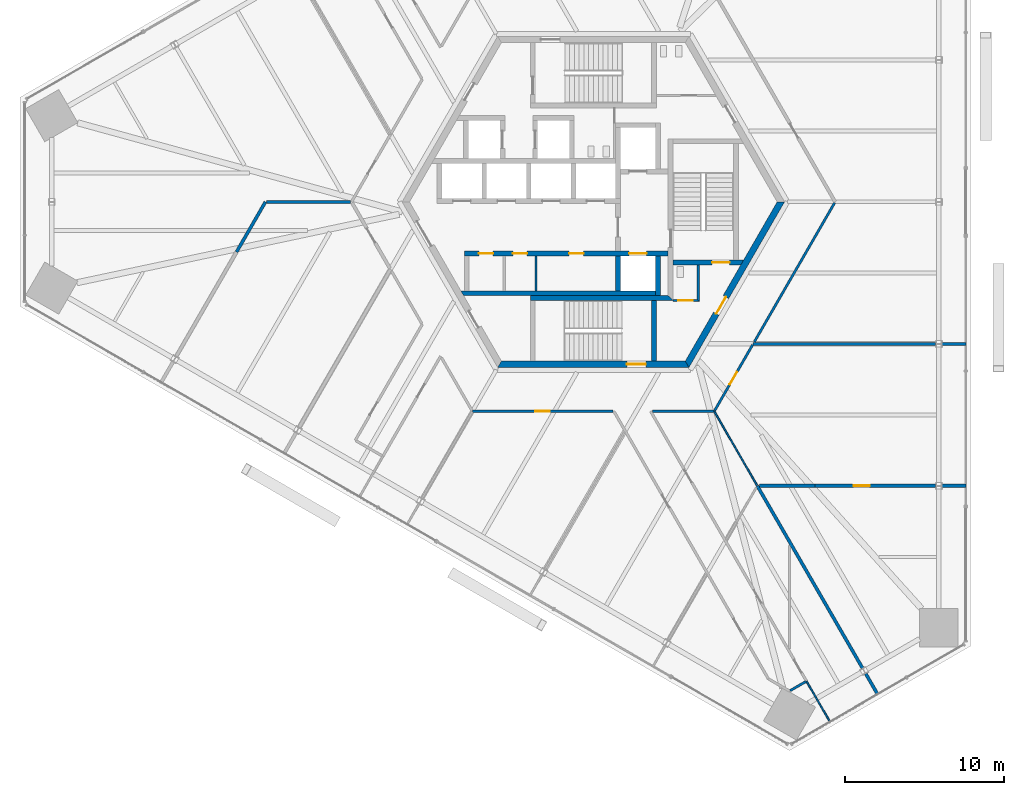
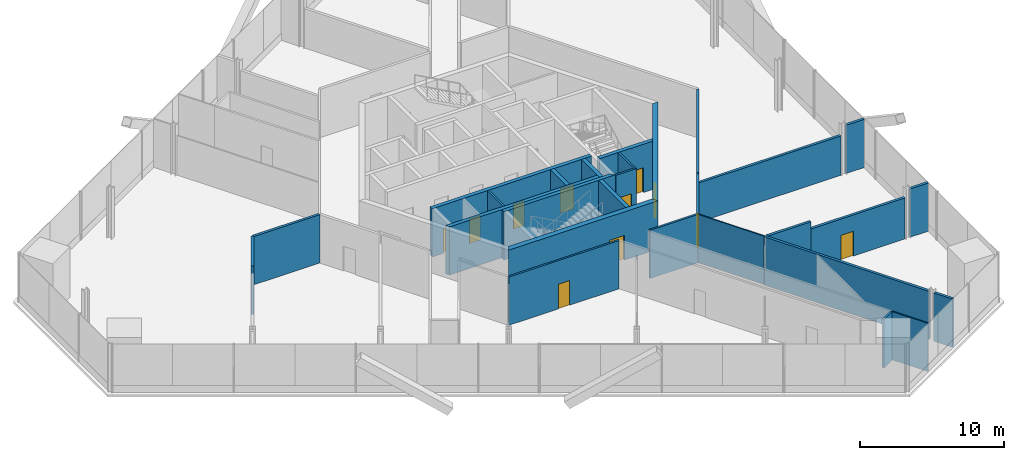
# One storey, part 11 of 16: 28 walls, 11 doors, 11 openings.
"""IFC4 building model written with IfcOpenShell, lengths in metres."""

from ifc_helpers import new_model, si_unit, direction, frame, frame_2d, origin, place, context, subcontext, project, spatial, polyline, rectangle, outline, extrude, source, transform, mapped, material, layer, layer_set, type_object, element, fill, save


model = new_model("IFC4")

# Units and contexts
model_context = context("Model", 3, precision=1e-05, world=origin(), true_north=direction((0.0, 1.0)))
body_context = subcontext(model_context, "Body", "Model", "MODEL_VIEW")
ifc_project = project(units=[si_unit("LENGTHUNIT", "METRE"), si_unit("AREAUNIT", "SQUARE_METRE"), si_unit("VOLUMEUNIT", "CUBIC_METRE"), si_unit("PLANEANGLEUNIT", "RADIAN"), si_unit("MASSUNIT", "GRAM", prefix="KILO")], contexts=[model_context])

# Site, building, storey
site_placement = place(None, origin())
site = spatial("IfcSite", under=ifc_project, at=site_placement, CompositionType="ELEMENT")
building_placement = place(site_placement, origin())
building = spatial("IfcBuilding", under=site, at=building_placement, Name="Triune Harvest Tower", CompositionType="ELEMENT")
storey_placement = place(building_placement, frame((0.0, 0.0, 37.5)))
storey = spatial("IfcBuildingStorey", under=building, at=storey_placement, Name="L08", CompositionType="ELEMENT", Elevation=37.5)

# Wall, opening, door
ifc_material_1 = material(Name="Gypsum board on steel studs", Category="steel")
ifc_layer_1 = layer(ifc_material_1, 0.14990234375)
ifc_layer_set_1 = layer_set([ifc_layer_1], Name="Gypsum board on steel studs")
wall_type_1 = type_object("IfcWallType", Name="Fire Partition 150 mm", PredefinedType="PARTITIONING", material=ifc_layer_set_1)
wall_1_placement = place(storey_placement, frame((-7.587646484375, -13.142333984375, 0.0), z_axis=(0.0, 0.0, 1.0), x_axis=(1.0, 0.0, 0.0)))
wall_1 = element("IfcWall", 1, at=wall_1_placement, inside=storey, type_object=wall_type_1, Name="Partition L08 028", PredefinedType="PARTITIONING", context=body_context, shape_type="SweptSolid", body=[
    extrude(rectangle(XDim=8.82666015625, YDim=0.14990234375, at=frame_2d((4.413330078125, 0.0))), origin(), (0.0, 0.0, 1.0), 4.10009765625),
])
opening_1_placement = place(wall_1_placement, frame((3.949951171875, 0.0, 0.0)))
opening_1 = element("IfcOpeningElement", 2, at=opening_1_placement, cuts=wall_1, Name="Opening L08-016", PredefinedType="OPENING", context=body_context, shape_type="SweptSolid", body=[
    extrude(rectangle(XDim=0.89990234375, YDim=2.10009765625, at=frame_2d((0.449951171875, 1.050048828125))), frame((0.0, 0.0849609375, 0.0), z_axis=(0.0, -1.0, 0.0), x_axis=(1.0, 0.0, 0.0)), (0.0, 0.0, 1.0), 0.169921875),
])
ifc_material_2 = material(Name="Timber and steel door set", Category="steel")
door_type_1 = type_object("IfcDoorType", Name="Single leaf door FD30 right hand 900 x 2100", OperationType="SINGLE_SWING_RIGHT", PredefinedType="DOOR", material=ifc_material_2)
door_1_placement = place(opening_1_placement, origin())
door_1 = element("IfcDoor", 3, at=door_1_placement, inside=storey, type_object=door_type_1, Name="Door L08-016 Packing Room 08.16", OperationType="SINGLE_SWING_RIGHT", OverallHeight=2.10009765625, OverallWidth=0.89990234375, PredefinedType="DOOR", context=body_context, shape_type="SweptSolid", body=[
    extrude(rectangle(XDim=0.89990234375, YDim=2.10009765625, at=frame_2d((0.449951171875, 1.050048828125))), frame((0.0, 0.02490234375, 0.0), z_axis=(0.0, -1.0, 0.0), x_axis=(1.0, 0.0, 0.0)), (0.0, 0.0, 1.0), 0.050048828125),
])
fill(opening_1, door_1)

# Wall
wall_2_placement = place(storey_placement, frame((3.708251953125, -13.142333984375, 0.0), z_axis=(0.0, 0.0, 1.0), x_axis=(1.0, 0.0, 0.0)))
element("IfcWall", 4, at=wall_2_placement, inside=storey, type_object=wall_type_1, Name="Partition L08 029", PredefinedType="PARTITIONING", context=body_context, shape_type="SweptSolid", body=[
    extrude(rectangle(XDim=3.859375, YDim=0.14990234375, at=frame_2d((1.9296875, 0.0))), origin(), (0.0, 0.0, 1.0), 4.10009765625),
])

# Wall, opening, door
wall_3_placement = place(storey_placement, frame((7.602783203125, -13.1162109375, 0.0), z_axis=(0.0, 0.0, 1.0), x_axis=(0.500011970786, 0.866018492338, 0.0)))
wall_3 = element("IfcWall", 5, at=wall_3_placement, inside=storey, type_object=wall_type_1, Name="Partition L08 041", PredefinedType="PARTITIONING", context=body_context, shape_type="SweptSolid", body=[
    extrude(rectangle(XDim=4.79345703125, YDim=0.14990234375, at=frame_2d((2.396728515625, 0.0))), origin(), (0.0, 0.0, 1.0), 4.10009765625),
])
opening_2_placement = place(wall_3_placement, frame((1.919921875, 0.0, 0.0)))
opening_2 = element("IfcOpeningElement", 6, at=opening_2_placement, cuts=wall_3, Name="Opening L08-002", PredefinedType="OPENING", context=body_context, shape_type="SweptSolid", body=[
    extrude(rectangle(XDim=0.89990234375, YDim=2.10009765625, at=frame_2d((0.449951171875, 1.050048828125))), frame((0.0, 0.0849609375, 0.0), z_axis=(0.0, -1.0, 0.0), x_axis=(1.0, 0.0, 0.0)), (0.0, 0.0, 1.0), 0.169921875),
])
door_2_placement = place(opening_2_placement, origin())
door_2 = element("IfcDoor", 7, at=door_2_placement, inside=storey, type_object=door_type_1, Name="Door L08-002 Packing Room 08.02", OperationType="SINGLE_SWING_RIGHT", OverallHeight=2.10009765625, OverallWidth=0.89990234375, PredefinedType="DOOR", context=body_context, shape_type="SweptSolid", body=[
    extrude(rectangle(XDim=0.89990234375, YDim=2.10009765625, at=frame_2d((0.449951171875, 1.050048828125))), frame((0.0, 0.02490234375, 0.0), z_axis=(0.0, -1.0, 0.0), x_axis=(1.0, 0.0, 0.0)), (0.0, 0.0, 1.0), 0.050048828125),
])
fill(opening_2, door_2)

# Walls
wall_4_placement = place(storey_placement, frame((10.099609375, -8.791748046875, 0.0), z_axis=(0.0, 0.0, 1.0), x_axis=(0.499985875816, 0.866033558232, 0.0)))
element("IfcWall", 8, at=wall_4_placement, inside=storey, type_object=wall_type_1, Name="Partition L08 042", PredefinedType="PARTITIONING", context=body_context, shape_type="SweptSolid", body=[
    extrude(rectangle(XDim=10.081787109375, YDim=0.14990234375, at=frame_2d((5.041015625, 0.0))), origin(), (0.0, 0.0, 1.0), 4.10009765625),
])
ifc_material_3 = material(Name="Gypsum board on steel studs", Category="steel")
ifc_layer_2 = layer(ifc_material_3, 0.199951171875)
ifc_layer_set_2 = layer_set([ifc_layer_2], Name="Gypsum board on steel studs")
wall_type_2 = type_object("IfcWallType", Name="Fire Wall 200 mm", PredefinedType="PARTITIONING", material=ifc_layer_set_2)
wall_5_placement = place(storey_placement, frame((10.288330078125, -17.820068359375, 0.0), z_axis=(0.0, 0.0, 1.0), x_axis=(0.500008633047, -0.866020419435, 0.0)))
element("IfcWall", 9, at=wall_5_placement, inside=storey, type_object=wall_type_2, Name="Partition L08 015", PredefinedType="PARTITIONING", context=body_context, shape_type="SweptSolid", body=[
    extrude(rectangle(XDim=13.218505859375, YDim=0.199951171875, at=frame_2d((6.609375, 0.0))), origin(), (0.0, 0.0, 1.0), 4.10009765625),
])
wall_6_placement = place(storey_placement, frame((10.4384765625, -17.820068359375, 0.0), z_axis=(0.0, 0.0, 1.0), x_axis=(1.0, 0.0, 0.0)))
element("IfcWall", 10, at=wall_6_placement, inside=storey, type_object=wall_type_2, Name="Partition L08 026", PredefinedType="PARTITIONING", context=body_context, shape_type="SweptSolid", body=[
    extrude(rectangle(XDim=3.4794921875, YDim=0.199951171875, at=frame_2d((1.73974609375, 0.0))), origin(), (0.0, 0.0, 1.0), 4.10009765625),
])
wall_7_placement = place(storey_placement, frame((-20.506591796875, 0.0, 0.0), z_axis=(0.0, 0.0, 1.0), x_axis=(1.0, 0.0, 0.0)))
element("IfcWall", 11, at=wall_7_placement, inside=storey, type_object=wall_type_2, Name="Partition L08 032", PredefinedType="PARTITIONING", context=body_context, shape_type="SweptSolid", body=[
    extrude(rectangle(XDim=5.28125, YDim=0.199951171875, at=frame_2d((2.640625, 0.0))), origin(), (0.0, 0.0, 1.0), 4.10009765625),
])
wall_8_placement = place(storey_placement, frame((-22.3916015625, -3.143310546875, 0.0), z_axis=(0.0, 0.0, 1.0), x_axis=(0.500031038943, 0.8660074827, 0.0)))
element("IfcWall", 12, at=wall_8_placement, inside=storey, type_object=wall_type_2, Name="Partition L08 062a", PredefinedType="PARTITIONING", context=body_context, shape_type="SweptSolid", body=[
    extrude(rectangle(XDim=3.629638671875, YDim=0.199951171875, at=frame_2d((1.81494140625, 0.0))), origin(), (0.0, 0.0, 1.0), 4.10009765625),
])
ifc_material_4 = material(Name="Gypsum board on steel studs", Category="steel")
ifc_layer_3 = layer(ifc_material_4, 0.10009765625)
ifc_layer_set_3 = layer_set([ifc_layer_3], Name="Gypsum board on steel studs")
wall_type_3 = type_object("IfcWallType", Name="Partition 100 mm", PredefinedType="PARTITIONING", material=ifc_layer_set_3)
wall_9_placement = place(storey_placement, frame((7.587646484375, -13.142333984375, 0.0), z_axis=(0.0, 0.0, 1.0), x_axis=(0.499998380488, -0.866026338808, 0.0)))
element("IfcWall", 13, at=wall_9_placement, inside=storey, type_object=wall_type_3, Name="Partition L08 014", PredefinedType="PARTITIONING", context=body_context, shape_type="SweptSolid", body=[
    extrude(rectangle(XDim=5.361328125, YDim=0.10009765625, at=frame_2d((2.6806640625, 0.0))), origin(), (0.0, 0.0, 1.0), 4.10009765625),
])

# Wall, opening, door
ifc_material_5 = material(Name="Concrete 70 MPa", Category="concrete")
ifc_layer_4 = layer(ifc_material_5, 0.39990234375)
ifc_layer_set_4 = layer_set([ifc_layer_4], Name="Concrete 70 MPa")
wall_type_4 = type_object("IfcWallType", Name="Core wall 400", PredefinedType="SHEAR", material=ifc_layer_set_4)
shared_shape_1 = source(origin(), body_context, "Body", "SweptSolid", [
    extrude(outline(polyline([(-0.115478515625, -0.199951171875), (11.884521484375, -0.199951171875), (11.653564453125, 0.199951171875), (0.115478515625, 0.199951171875), (-0.115478515625, -0.199951171875)])), origin(), (0.0, 0.0, 1.0), 4.10009765625),
])
wall_10_placement = place(storey_placement, frame((-5.884521484375, -10.1923828125, 0.0), z_axis=(0.0, 0.0, 1.0), x_axis=(1.0, 0.0, 0.0)))
wall_10 = element("IfcWall", 14, at=wall_10_placement, inside=storey, type_object=wall_type_4, Name="Hexagon 4 wall", PredefinedType="SHEAR", context=body_context, shape_type="MappedRepresentation", body=[
    mapped(shared_shape_1, transform((0.0, 0.0, 0.0), scale=1.0)),
])
opening_3_placement = place(wall_10_placement, frame((7.984619140625, 0.0, 0.0)))
opening_3 = element("IfcOpeningElement", 15, at=opening_3_placement, cuts=wall_10, Name="Opening CD-S2P", PredefinedType="OPENING", context=body_context, shape_type="SweptSolid", body=[
    extrude(rectangle(XDim=1.199951171875, YDim=2.10009765625, at=frame_2d((0.60009765625, 1.050048828125))), frame((0.0, 0.2099609375, 0.0), z_axis=(0.0, -1.0, 0.0), x_axis=(1.0, 0.0, 0.0)), (0.0, 0.0, 1.0), 0.419921875),
])
ifc_material_6 = material(Name="Steel S235", Category="steel")
door_type_2 = type_object("IfcDoorType", Name="Stair door 1200 FD120", OperationType="SINGLE_SWING_LEFT", PredefinedType="DOOR", material=ifc_material_6)
door_3_placement = place(opening_3_placement, frame((1.199951171875, 0.0, 0.0), z_axis=(0.0, 0.0, 1.0), x_axis=(-1.0, 0.0, 0.0)))
door_3 = element("IfcDoor", 16, at=door_3_placement, inside=storey, type_object=door_type_2, Name="Door CD-S2P", OperationType="SINGLE_SWING_RIGHT", OverallHeight=2.10009765625, OverallWidth=1.199951171875, PredefinedType="DOOR", context=body_context, shape_type="SweptSolid", body=[
    extrude(rectangle(XDim=1.199951171875, YDim=2.10009765625, at=frame_2d((0.60009765625, 1.050048828125))), frame((0.0, 0.02490234375, 0.0), z_axis=(0.0, -1.0, 0.0), x_axis=(1.0, 0.0, 0.0)), (0.0, 0.0, 1.0), 0.050048828125),
])
fill(opening_3, door_3)

wall_11_placement = place(storey_placement, frame((5.884521484375, -10.1923828125, 0.0), z_axis=(0.0, 0.0, 1.0), x_axis=(0.499996592174, 0.866027371285, 0.0)))
wall_11 = element("IfcWall", 17, at=wall_11_placement, inside=storey, type_object=wall_type_4, Name="Hexagon 5 wall", PredefinedType="SHEAR", context=body_context, shape_type="MappedRepresentation", body=[
    mapped(shared_shape_1, transform((0.0, 0.0, 0.0), scale=1.0)),
])
opening_4_placement = place(wall_11_placement, frame((3.66455078125, 0.0, 0.0)))
opening_4 = element("IfcOpeningElement", 18, at=opening_4_placement, cuts=wall_11, Name="Opening CD-DP", PredefinedType="OPENING", context=body_context, shape_type="SweptSolid", body=[
    extrude(rectangle(XDim=1.199951171875, YDim=2.10009765625, at=frame_2d((0.60009765625, 1.050048828125))), frame((0.0, 0.2099609375, 0.0), z_axis=(0.0, -1.0, 0.0), x_axis=(1.0, 0.0, 0.0)), (0.0, 0.0, 1.0), 0.419921875),
])
door_4_placement = place(opening_4_placement, frame((1.199951171875, 0.0, 0.0), z_axis=(0.0, 0.0, 1.0), x_axis=(-1.0, 0.0, 0.0)))
door_4 = element("IfcDoor", 19, at=door_4_placement, inside=storey, type_object=door_type_2, Name="Door CD-DP", OperationType="SINGLE_SWING_RIGHT", OverallHeight=2.10009765625, OverallWidth=1.199951171875, PredefinedType="DOOR", context=body_context, shape_type="SweptSolid", body=[
    extrude(rectangle(XDim=1.199951171875, YDim=2.10009765625, at=frame_2d((0.60009765625, 1.050048828125))), frame((0.0, 0.02490234375, 0.0), z_axis=(0.0, -1.0, 0.0), x_axis=(1.0, 0.0, 0.0)), (0.0, 0.0, 1.0), 0.050048828125),
])
fill(opening_4, door_4)

# Wall
ifc_material_7 = material(Name="Concrete 70 MPa", Category="concrete")
ifc_layer_5 = layer(ifc_material_7, 0.300048828125)
ifc_layer_set_5 = layer_set([ifc_layer_5], Name="Concrete 70 MPa")
wall_type_5 = type_object("IfcWallType", Name="Core wall 300", PredefinedType="SHEAR", material=ifc_layer_set_5)
shared_shape_2 = source(origin(), body_context, "Body", "SweptSolid", [
    extrude(rectangle(XDim=2.5, YDim=0.300048828125, at=frame_2d((1.25, 0.0))), origin(), (0.0, 0.0, 1.0), 4.10009765625),
])
wall_12_placement = place(storey_placement, frame((4.050048828125, -5.889892578125, 0.0), z_axis=(0.0, 0.0, 1.0), x_axis=(0.0, 1.0, 0.0)))
element("IfcWall", 20, at=wall_12_placement, inside=storey, type_object=wall_type_5, Name="Ff2 east wall", PredefinedType="SHEAR", context=body_context, shape_type="MappedRepresentation", body=[
    mapped(shared_shape_2, transform((0.0, 0.0, 0.0), scale=1.0)),
])

# Wall, openings, doors
shared_shape_3 = source(origin(), body_context, "Body", "SweptSolid", [
    extrude(rectangle(XDim=12.800048828125, YDim=0.300048828125, at=frame_2d((6.39990234375, 0.0))), origin(), (0.0, 0.0, 1.0), 4.10009765625),
])
wall_13_placement = place(storey_placement, frame((-8.10009765625, -3.239990234375, 0.0), z_axis=(0.0, 0.0, 1.0), x_axis=(1.0, 0.0, 0.0)))
wall_13 = element("IfcWall", 21, at=wall_13_placement, inside=storey, type_object=wall_type_5, Name="South front wall", PredefinedType="SHEAR", context=body_context, shape_type="MappedRepresentation", body=[
    mapped(shared_shape_3, transform((0.0, 0.0, 0.0), scale=1.0)),
])
opening_5_placement = place(wall_13_placement, frame((0.91259765625, 0.0, 0.0)))
opening_5 = element("IfcOpeningElement", 22, at=opening_5_placement, cuts=wall_13, Name="Opening CD-RS1", PredefinedType="OPENING", context=body_context, shape_type="SweptSolid", body=[
    extrude(rectangle(XDim=0.89990234375, YDim=2.10009765625, at=frame_2d((0.449951171875, 1.050048828125))), frame((0.0, 0.16015625, 0.0), z_axis=(0.0, -1.0, 0.0), x_axis=(1.0, 0.0, 0.0)), (0.0, 0.0, 1.0), 0.320068359375),
])
opening_6_placement = place(wall_13_placement, frame((3.050048828125, 0.0, 0.0)))
opening_6 = element("IfcOpeningElement", 23, at=opening_6_placement, cuts=wall_13, Name="Opening CD-RS2", PredefinedType="OPENING", context=body_context, shape_type="SweptSolid", body=[
    extrude(rectangle(XDim=0.89990234375, YDim=2.10009765625, at=frame_2d((0.449951171875, 1.050048828125))), frame((0.0, 0.16015625, 0.0), z_axis=(0.0, -1.0, 0.0), x_axis=(1.0, 0.0, 0.0)), (0.0, 0.0, 1.0), 0.320068359375),
])
opening_7_placement = place(wall_13_placement, frame((6.58740234375, 0.0, 0.0)))
opening_7 = element("IfcOpeningElement", 24, at=opening_7_placement, cuts=wall_13, Name="Opening CD-RS3", PredefinedType="OPENING", context=body_context, shape_type="SweptSolid", body=[
    extrude(rectangle(XDim=0.89990234375, YDim=2.10009765625, at=frame_2d((0.449951171875, 1.050048828125))), frame((0.0, 0.16015625, 0.0), z_axis=(0.0, -1.0, 0.0), x_axis=(1.0, 0.0, 0.0)), (0.0, 0.0, 1.0), 0.320068359375),
])
opening_8_placement = place(wall_13_placement, frame((10.35009765625, 0.0, 0.0)))
opening_8 = element("IfcOpeningElement", 25, at=opening_8_placement, cuts=wall_13, Name="Opening LD-FF2-08", PredefinedType="OPENING", context=body_context, shape_type="SweptSolid", body=[
    extrude(rectangle(XDim=1.10009765625, YDim=2.10009765625, at=frame_2d((0.550048828125, 1.050048828125))), frame((0.0, 0.16015625, 0.0), z_axis=(0.0, -1.0, 0.0), x_axis=(1.0, 0.0, 0.0)), (0.0, 0.0, 1.0), 0.320068359375),
])
ifc_material_8 = material(Name="Stainless steel AISI 304", Category="steel")
door_type_3 = type_object("IfcDoorType", Name="Landing door 1100 x 2100", OperationType="DOUBLE_DOOR_SLIDING", PredefinedType="DOOR", material=ifc_material_8)
door_5_placement = place(opening_8_placement, origin())
door_5 = element("IfcDoor", 26, at=door_5_placement, inside=storey, type_object=door_type_3, Name="Door LD-FF2-08", OperationType="DOUBLE_DOOR_SLIDING", OverallHeight=2.10009765625, OverallWidth=1.10009765625, PredefinedType="DOOR", context=body_context, shape_type="SweptSolid", body=[
    extrude(rectangle(XDim=1.10009765625, YDim=2.10009765625, at=frame_2d((0.550048828125, 1.050048828125))), frame((0.0, 0.02490234375, 0.0), z_axis=(0.0, -1.0, 0.0), x_axis=(1.0, 0.0, 0.0)), (0.0, 0.0, 1.0), 0.050048828125),
])
fill(opening_8, door_5)
ifc_material_9 = material(Name="Steel S235", Category="steel")
door_type_4 = type_object("IfcDoorType", Name="Riser door 900 FD120", OperationType="SINGLE_SWING_LEFT", PredefinedType="DOOR", material=ifc_material_9)
door_6_placement = place(opening_5_placement, origin())
door_6 = element("IfcDoor", 27, at=door_6_placement, inside=storey, type_object=door_type_4, Name="Door CD-RS1", OperationType="SINGLE_SWING_LEFT", OverallHeight=2.10009765625, OverallWidth=0.89990234375, PredefinedType="DOOR", context=body_context, shape_type="SweptSolid", body=[
    extrude(rectangle(XDim=0.89990234375, YDim=2.10009765625, at=frame_2d((0.449951171875, 1.050048828125))), frame((0.0, 0.02490234375, 0.0), z_axis=(0.0, -1.0, 0.0), x_axis=(1.0, 0.0, 0.0)), (0.0, 0.0, 1.0), 0.050048828125),
])
fill(opening_5, door_6)
door_7_placement = place(opening_6_placement, origin())
door_7 = element("IfcDoor", 28, at=door_7_placement, inside=storey, type_object=door_type_4, Name="Door CD-RS2", OperationType="SINGLE_SWING_LEFT", OverallHeight=2.10009765625, OverallWidth=0.89990234375, PredefinedType="DOOR", context=body_context, shape_type="SweptSolid", body=[
    extrude(rectangle(XDim=0.89990234375, YDim=2.10009765625, at=frame_2d((0.449951171875, 1.050048828125))), frame((0.0, 0.02490234375, 0.0), z_axis=(0.0, -1.0, 0.0), x_axis=(1.0, 0.0, 0.0)), (0.0, 0.0, 1.0), 0.050048828125),
])
fill(opening_6, door_7)
door_8_placement = place(opening_7_placement, origin())
door_8 = element("IfcDoor", 29, at=door_8_placement, inside=storey, type_object=door_type_4, Name="Door CD-RS3", OperationType="SINGLE_SWING_LEFT", OverallHeight=2.10009765625, OverallWidth=0.89990234375, PredefinedType="DOOR", context=body_context, shape_type="SweptSolid", body=[
    extrude(rectangle(XDim=0.89990234375, YDim=2.10009765625, at=frame_2d((0.449951171875, 1.050048828125))), frame((0.0, 0.02490234375, 0.0), z_axis=(0.0, -1.0, 0.0), x_axis=(1.0, 0.0, 0.0)), (0.0, 0.0, 1.0), 0.050048828125),
])
fill(opening_7, door_8)

# Walls
shared_shape_4 = source(origin(), body_context, "Body", "SweptSolid", [
    extrude(outline(polyline([(12.0, -0.14990234375), (-0.039794921875, -0.14990234375), (-0.212890625, 0.14990234375), (12.0, 0.14990234375), (12.0, -0.14990234375)])), origin(), (0.0, 0.0, 1.0), 4.10009765625),
])
wall_14_placement = place(storey_placement, frame((-8.10009765625, -5.739990234375, 0.0), z_axis=(0.0, 0.0, 1.0), x_axis=(1.0, 0.0, 0.0)))
element("IfcWall", 30, at=wall_14_placement, inside=storey, type_object=wall_type_5, Name="South back wall", PredefinedType="SHEAR", context=body_context, shape_type="MappedRepresentation", body=[
    mapped(shared_shape_4, transform((0.0, 0.0, 0.0), scale=1.0)),
])
shared_shape_5 = source(origin(), body_context, "Body", "SweptSolid", [
    extrude(rectangle(XDim=2.2001953125, YDim=0.300048828125, at=frame_2d((1.10009765625, 0.0))), origin(), (0.0, 0.0, 1.0), 4.10009765625),
])
wall_15_placement = place(storey_placement, frame((1.550048828125, -5.590087890625, 0.0), z_axis=(0.0, 0.0, 1.0), x_axis=(0.0, 1.0, 0.0)))
element("IfcWall", 31, at=wall_15_placement, inside=storey, type_object=wall_type_5, Name="Ff2 west wall", PredefinedType="SHEAR", context=body_context, shape_type="MappedRepresentation", body=[
    mapped(shared_shape_5, transform((0.0, 0.0, 0.0), scale=1.0)),
])

# Wall, opening, door
shared_shape_6 = source(origin(), body_context, "Body", "SweptSolid", [
    extrude(outline(polyline([(0.0, -0.14990234375), (0.0, 0.14990234375), (4.43310546875, 0.14990234375), (4.260009765625, -0.14990234375), (0.0, -0.14990234375)])), origin(), (0.0, 0.0, 1.0), 4.10009765625),
])
wall_16_placement = place(storey_placement, frame((5.0, -3.800048828125, 0.0), z_axis=(0.0, 0.0, 1.0), x_axis=(1.0, 0.0, 0.0)))
wall_16 = element("IfcWall", 32, at=wall_16_placement, inside=storey, type_object=wall_type_5, Name="Stair e south wall", PredefinedType="SHEAR", context=body_context, shape_type="MappedRepresentation", body=[
    mapped(shared_shape_6, transform((0.0, 0.0, 0.0), scale=1.0)),
])
opening_9_placement = place(wall_16_placement, frame((2.449951171875, 0.0, 0.0)))
opening_9 = element("IfcOpeningElement", 33, at=opening_9_placement, cuts=wall_16, Name="Opening CD-S3D", PredefinedType="OPENING", context=body_context, shape_type="SweptSolid", body=[
    extrude(rectangle(XDim=1.10009765625, YDim=2.10009765625, at=frame_2d((0.550048828125, 1.050048828125))), frame((0.0, 0.16015625, 0.0), z_axis=(0.0, -1.0, 0.0), x_axis=(1.0, 0.0, 0.0)), (0.0, 0.0, 1.0), 0.320068359375),
])
ifc_material_10 = material(Name="Steel S235", Category="steel")
door_type_5 = type_object("IfcDoorType", Name="Stair door 1100 FD120", OperationType="SINGLE_SWING_LEFT", PredefinedType="DOOR", material=ifc_material_10)
door_9_placement = place(opening_9_placement, frame((1.10009765625, 0.0, 0.0), z_axis=(0.0, 0.0, 1.0), x_axis=(-1.0, 0.0, 0.0)))
door_9 = element("IfcDoor", 34, at=door_9_placement, inside=storey, type_object=door_type_5, Name="Door CD-S3D", OperationType="SINGLE_SWING_RIGHT", OverallHeight=2.10009765625, OverallWidth=1.10009765625, PredefinedType="DOOR", context=body_context, shape_type="SweptSolid", body=[
    extrude(rectangle(XDim=1.10009765625, YDim=2.10009765625, at=frame_2d((0.550048828125, 1.050048828125))), frame((0.0, 0.02490234375, 0.0), z_axis=(0.0, -1.0, 0.0), x_axis=(1.0, 0.0, 0.0)), (0.0, 0.0, 1.0), 0.050048828125),
])
fill(opening_9, door_9)

# Walls
shared_shape_7 = source(origin(), body_context, "Body", "SweptSolid", [
    extrude(outline(polyline([(0.0, -0.14990234375), (8.949951171875, -0.14990234375), (8.64990234375, 0.14990234375), (0.0, 0.14990234375), (0.0, -0.14990234375)])), origin(), (0.0, 0.0, 1.0), 4.10009765625),
])
wall_17_placement = place(storey_placement, frame((-3.949951171875, -6.0400390625, 0.0), z_axis=(0.0, 0.0, 1.0), x_axis=(1.0, 0.0, 0.0)))
element("IfcWall", 35, at=wall_17_placement, inside=storey, type_object=wall_type_5, Name="Stair s north wall", PredefinedType="SHEAR", context=body_context, shape_type="MappedRepresentation", body=[
    mapped(shared_shape_7, transform((0.0, 0.0, 0.0), scale=1.0)),
])
shared_shape_8 = source(origin(), body_context, "Body", "SweptSolid", [
    extrude(outline(polyline([(3.800048828125, -0.14990234375), (-0.00439453125, -0.14990234375), (-0.00439453125, 0.14990234375), (3.800048828125, 0.14990234375), (3.800048828125, -0.14990234375)])), origin(), (0.0, 0.0, 1.0), 4.10009765625),
])
wall_18_placement = place(storey_placement, frame((3.800048828125, -9.989990234375, 0.0), z_axis=(0.0, 0.0, 1.0), x_axis=(0.0, 1.0, 0.0)))
element("IfcWall", 36, at=wall_18_placement, inside=storey, type_object=wall_type_5, Name="Stair s east wall", PredefinedType="SHEAR", context=body_context, shape_type="MappedRepresentation", body=[
    mapped(shared_shape_8, transform((0.0, 0.0, 0.0), scale=1.0)),
])
ifc_material_11 = material(Name="Concrete masonry unit", Category="masonry")
ifc_layer_6 = layer(ifc_material_11, 0.14990234375)
ifc_layer_set_6 = layer_set([ifc_layer_6], Name="Concrete masonry unit")
wall_type_6 = type_object("IfcWallType", Name="Block partition 150", PredefinedType="PARTITIONING", material=ifc_layer_set_6)
shared_shape_9 = source(origin(), body_context, "Body", "SweptSolid", [
    extrude(rectangle(XDim=2.2001953125, YDim=0.14990234375, at=frame_2d((1.10009765625, 0.0))), origin(), (0.0, 0.0, 1.0), 4.10009765625),
])
wall_19_placement = place(storey_placement, frame((-3.60009765625, -5.590087890625, 0.0), z_axis=(0.0, 0.0, 1.0), x_axis=(0.0, 1.0, 0.0)))
element("IfcWall", 37, at=wall_19_placement, inside=storey, type_object=wall_type_6, Name="Row s part 2 wall", PredefinedType="PARTITIONING", context=body_context, shape_type="MappedRepresentation", body=[
    mapped(shared_shape_9, transform((0.0, 0.0, 0.0), scale=1.0)),
])

# Wall, opening, door
ifc_material_12 = material(Name="Concrete masonry unit", Category="masonry")
ifc_layer_7 = layer(ifc_material_12, 0.14990234375)
ifc_layer_set_7 = layer_set([ifc_layer_7], Name="Concrete masonry unit")
wall_type_7 = type_object("IfcWallType", Name="Block partition 150 unrated", PredefinedType="PARTITIONING", material=ifc_layer_set_7)
shared_shape_10 = source(origin(), body_context, "Body", "SweptSolid", [
    extrude(outline(polyline([(0.0, -0.074951171875), (1.64990234375, -0.074951171875), (1.5, 0.074951171875), (0.0, 0.074951171875), (0.0, -0.074951171875)])), origin(), (0.0, 0.0, 1.0), 4.10009765625),
])
wall_20_placement = place(storey_placement, frame((5.0, -6.18994140625, 0.0), z_axis=(0.0, 0.0, 1.0), x_axis=(1.0, 0.0, 0.0)))
wall_20 = element("IfcWall", 38, at=wall_20_placement, inside=storey, type_object=wall_type_7, Name="Wc acc south wall", PredefinedType="PARTITIONING", context=body_context, shape_type="MappedRepresentation", body=[
    mapped(shared_shape_10, transform((0.0, 0.0, 0.0), scale=1.0)),
])
opening_10_placement = place(wall_20_placement, frame((0.33740234375, 0.0, 0.0)))
opening_10 = element("IfcOpeningElement", 39, at=opening_10_placement, cuts=wall_20, Name="Opening CD-WA", PredefinedType="OPENING", context=body_context, shape_type="SweptSolid", body=[
    extrude(rectangle(XDim=0.89990234375, YDim=2.10009765625, at=frame_2d((0.449951171875, 1.050048828125))), frame((0.0, 0.0849609375, 0.0), z_axis=(0.0, -1.0, 0.0), x_axis=(1.0, 0.0, 0.0)), (0.0, 0.0, 1.0), 0.169921875),
])
ifc_material_13 = material(Name="Timber C24", Category="wood")
door_type_6 = type_object("IfcDoorType", Name="WC door 900", OperationType="SINGLE_SWING_LEFT", PredefinedType="DOOR", material=ifc_material_13)
door_10_placement = place(opening_10_placement, origin())
door_10 = element("IfcDoor", 40, at=door_10_placement, inside=storey, type_object=door_type_6, Name="Door CD-WA", OperationType="SINGLE_SWING_LEFT", OverallHeight=2.10009765625, OverallWidth=0.89990234375, PredefinedType="DOOR", context=body_context, shape_type="SweptSolid", body=[
    extrude(rectangle(XDim=0.89990234375, YDim=2.10009765625, at=frame_2d((0.449951171875, 1.050048828125))), frame((0.0, 0.02490234375, 0.0), z_axis=(0.0, -1.0, 0.0), x_axis=(1.0, 0.0, 0.0)), (0.0, 0.0, 1.0), 0.050048828125),
])
fill(opening_10, door_10)

# Walls
shared_shape_11 = source(origin(), body_context, "Body", "SweptSolid", [
    extrude(outline(polyline([(-0.074951171875, -0.074951171875), (2.239990234375, -0.074951171875), (2.239990234375, 0.074951171875), (0.074951171875, 0.074951171875), (-0.074951171875, -0.074951171875)])), origin(), (0.0, 0.0, 1.0), 4.10009765625),
])
wall_21_placement = place(storey_placement, frame((6.574951171875, -6.18994140625, 0.0), z_axis=(0.0, 0.0, 1.0), x_axis=(0.0, 1.0, 0.0)))
element("IfcWall", 41, at=wall_21_placement, inside=storey, type_object=wall_type_7, Name="Wc acc east wall", PredefinedType="PARTITIONING", context=body_context, shape_type="MappedRepresentation", body=[
    mapped(shared_shape_11, transform((0.0, 0.0, 0.0), scale=1.0)),
])
shared_shape_12 = source(origin(), body_context, "Body", "SweptSolid", [
    extrude(rectangle(XDim=1.49853515625, YDim=0.199951171875, at=frame_2d((0.749267578125, 0.0))), origin(), (0.0, 0.0, 1.0), 4.10009765625),
])
for number, where, z_axis, x_axis, name in (
    (42, (21.872802734375, -17.820068359375, 0.0), (0.0, 0.0, 1.0), (1.0, 0.0, 0.0), "Partition L08 027"),
    (43, (21.872802734375, -8.909912109375, 0.0), (0.0, 0.0, 1.0), (1.0, 0.0, 0.0), "Partition L08 031"),
):
    element("IfcWall", number, at=place(storey_placement, frame(where, z_axis=z_axis, x_axis=x_axis)), inside=storey, type_object=wall_type_2, Name=name, PredefinedType="PARTITIONING", context=body_context, shape_type="MappedRepresentation", body=[
        mapped(shared_shape_12, transform((0.0, 0.0, 0.0), scale=1.0)),
    ])
shared_shape_13 = source(origin(), body_context, "Body", "SweptSolid", [
    extrude(rectangle(XDim=1.498779296875, YDim=0.199951171875, at=frame_2d((0.74951171875, 0.0))), origin(), (0.0, 0.0, 1.0), 4.10009765625),
])
wall_22_placement = place(storey_placement, frame((17.0908203125, -29.602294921875, 0.0), z_axis=(0.0, 0.0, 1.0), x_axis=(0.499905760005, -0.866079806435, 0.0)))
element("IfcWall", 44, at=wall_22_placement, inside=storey, type_object=wall_type_2, Name="Partition L08 016", PredefinedType="PARTITIONING", context=body_context, shape_type="MappedRepresentation", body=[
    mapped(shared_shape_13, transform((0.0, 0.0, 0.0), scale=1.0)),
])

# Wall, opening, door
shared_shape_14 = source(origin(), body_context, "Body", "SweptSolid", [
    extrude(rectangle(XDim=7.568359375, YDim=0.199951171875, at=frame_2d((3.7841796875, 0.0))), origin(), (0.0, 0.0, 1.0), 3.48779296875),
])
wall_23_placement = place(storey_placement, frame((13.91796875, -17.820068359375, 0.0), z_axis=(0.0, 0.0, 1.0), x_axis=(1.0, 0.0, 0.0)))
wall_23 = element("IfcWall", 45, at=wall_23_placement, inside=storey, type_object=wall_type_2, Name="Partition L08 026a", PredefinedType="PARTITIONING", context=body_context, shape_type="MappedRepresentation", body=[
    mapped(shared_shape_14, transform((0.0, 0.0, 0.0), scale=1.0)),
])
opening_11_placement = place(wall_23_placement, frame((2.42041015625, 0.0, 0.0)))
opening_11 = element("IfcOpeningElement", 46, at=opening_11_placement, cuts=wall_23, Name="Opening L08-001", PredefinedType="OPENING", context=body_context, shape_type="SweptSolid", body=[
    extrude(rectangle(XDim=1.0, YDim=2.10009765625, at=frame_2d((0.5, 1.050048828125))), frame((0.0, 0.10986328125, 0.0), z_axis=(0.0, -1.0, 0.0), x_axis=(1.0, 0.0, 0.0)), (0.0, 0.0, 1.0), 0.219970703125),
])
ifc_material_14 = material(Name="Timber and steel door set", Category="steel")
door_type_7 = type_object("IfcDoorType", Name="Wide single leaf door FD60 left hand 1000 x 2100", OperationType="SINGLE_SWING_LEFT", PredefinedType="DOOR", material=ifc_material_14)
door_11_placement = place(opening_11_placement, origin())
door_11 = element("IfcDoor", 47, at=door_11_placement, inside=storey, type_object=door_type_7, Name="Door L08-001 Pollination Room 08.01", OperationType="SINGLE_SWING_LEFT", OverallHeight=2.10009765625, OverallWidth=1.0, PredefinedType="DOOR", context=body_context, shape_type="SweptSolid", body=[
    extrude(rectangle(XDim=1.0, YDim=2.10009765625, at=frame_2d((0.5, 1.050048828125))), frame((0.0, 0.02490234375, 0.0), z_axis=(0.0, -1.0, 0.0), x_axis=(1.0, 0.0, 0.0)), (0.0, 0.0, 1.0), 0.050048828125),
])
fill(opening_11, door_11)

# Walls
shared_shape_15 = source(origin(), body_context, "Body", "SweptSolid", [
    extrude(rectangle(XDim=2.94189453125, YDim=0.10009765625, at=frame_2d((1.470947265625, 0.0))), origin(), (0.0, 0.0, 1.0), 4.10009765625),
])
wall_24_placement = place(storey_placement, frame((13.377197265625, -30.079833984375, 0.0), z_axis=(0.0, 0.0, 1.0), x_axis=(0.49998584623, -0.866033575313, 0.0)))
element("IfcWall", 48, at=wall_24_placement, inside=storey, type_object=wall_type_3, Name="Partition L08 011", PredefinedType="PARTITIONING", context=body_context, shape_type="MappedRepresentation", body=[
    mapped(shared_shape_15, transform((0.0, 0.0, 0.0), scale=1.0)),
])
shared_shape_16 = source(origin(), body_context, "Body", "SweptSolid", [
    extrude(rectangle(XDim=1.133544921875, YDim=0.14990234375, at=frame_2d((0.56689453125, 0.0))), origin(), (0.0, 0.0, 1.0), 4.10009765625),
])
wall_25_placement = place(storey_placement, frame((12.352294921875, -30.671630859375, 0.0), z_axis=(0.0, 0.0, 1.0), x_axis=(0.866074404425, 0.499915118794, 0.0)))
element("IfcWall", 49, at=wall_25_placement, inside=storey, type_object=wall_type_1, Name="Partition L08 035", PredefinedType="PARTITIONING", context=body_context, shape_type="MappedRepresentation", body=[
    mapped(shared_shape_16, transform((0.0, 0.0, 0.0), scale=1.0)),
])
shared_shape_17 = source(origin(), body_context, "Body", "SweptSolid", [
    extrude(rectangle(XDim=11.455078125, YDim=0.199951171875, at=frame_2d((5.7275390625, 0.0))), origin(), (0.0, 0.0, 1.0), 3.343017578125),
])
wall_26_placement = place(storey_placement, frame((10.03125, -8.909912109375, 0.0), z_axis=(0.0, 0.0, 1.0), x_axis=(1.0, 0.0, 0.0)))
element("IfcWall", 50, at=wall_26_placement, inside=storey, type_object=wall_type_2, Name="Partition L08 030", PredefinedType="PARTITIONING", context=body_context, shape_type="MappedRepresentation", body=[
    mapped(shared_shape_17, transform((0.0, 0.0, 0.0), scale=1.0)),
])

save(model, "model.ifc")
